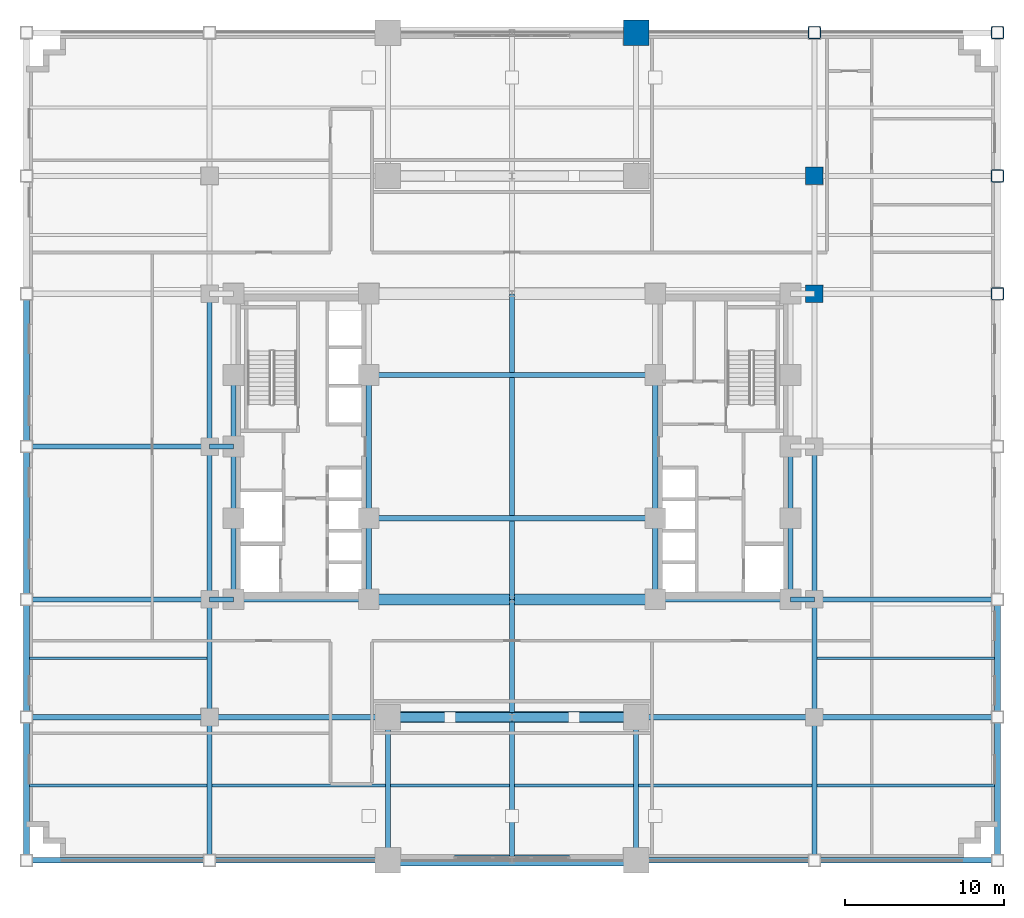
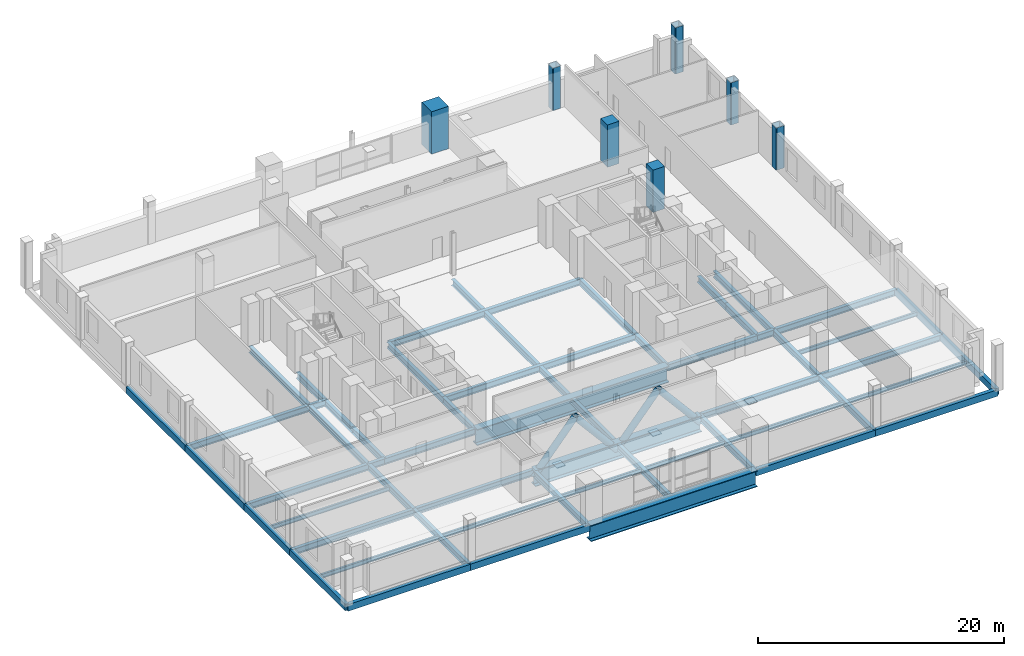
# One storey, part 4 of 17: 56 beams, 7 columns, 4 members.
"""IFC4 building model written with IfcOpenShell, lengths in metres."""

from ifc_helpers import new_model, si_unit, direction, frame, origin, origin_2d, place, context, subcontext, project, spatial, rectangle, hollow_rectangle, hollow_circle, i_section, extrude, material, material_profile, profile_set, type_object, element, save


model = new_model("IFC4")

# Units and contexts
model_context = context("Model", 3, precision=1e-05, world=origin(), true_north=direction((0.0, 1.0)))
body_context = subcontext(model_context, "Body", "Model", "MODEL_VIEW")
ifc_project = project(units=[si_unit("LENGTHUNIT", "METRE"), si_unit("AREAUNIT", "SQUARE_METRE"), si_unit("VOLUMEUNIT", "CUBIC_METRE"), si_unit("PLANEANGLEUNIT", "RADIAN"), si_unit("MASSUNIT", "GRAM", prefix="KILO")], contexts=[model_context])

# Site, building, storey
site_placement = place(None, origin())
site = spatial("IfcSite", under=ifc_project, at=site_placement, CompositionType="ELEMENT")
building_placement = place(site_placement, origin())
building = spatial("IfcBuilding", under=site, at=building_placement, Name="Nuvemarco Arch Tower", CompositionType="ELEMENT")
storey_placement = place(building_placement, frame((0.0, 0.0, 23.0)))
storey = spatial("IfcBuildingStorey", under=building, at=storey_placement, Name="L05", CompositionType="ELEMENT", Elevation=23.0)

# Columns
ifc_material_1 = material(Name="Concrete C60/75", Category="concrete")
ifc_material_profile_1 = material_profile(ifc_material_1, rectangle(XDim=1.10009765625, YDim=1.10009765625, at=origin_2d()), Name="RC-COL-1100x1100")
ifc_profile_set_1 = profile_set([ifc_material_profile_1], Name="Concrete C60/75")
column_type_1 = type_object("IfcColumnType", Name="COL-CORE-1100", PredefinedType="COLUMN", material=ifc_profile_set_1)
for number, where, z_axis, x_axis, name in (
    (1, (19.0, 9.60009765625, 0.0), (0.0, 0.0, 1.0), (1.0, 0.0, 0.0), "L05 column CP_+19.0_+9.6"),
    (2, (19.0, 17.0, 0.0), (0.0, 0.0, 1.0), (1.0, 0.0, 0.0), "L05 column CP_+19.0_+17.0"),
):
    element("IfcColumn", number, at=place(storey_placement, frame(where, z_axis=z_axis, x_axis=x_axis)), inside=storey, type_object=column_type_1, Name=name, PredefinedType="COLUMN", context=body_context, shape_type="SweptSolid", body=[
        extrude(rectangle(XDim=1.10009765625, YDim=1.10009765625, at=origin_2d()), origin(), (0.0, 0.0, 1.0), 4.199951171875),
    ])
ifc_material_2 = material(Name="Steel S460", Category="steel")
ifc_material_profile_2 = material_profile(ifc_material_2, hollow_rectangle(XDim=0.800048828125, YDim=0.800048828125, WallThickness=0.054931640625, InnerFilletRadius=0.054931640625, OuterFilletRadius=0.110107421875, at=origin_2d()), Name="SHS800x800x55")
ifc_profile_set_2 = profile_set([ifc_material_profile_2], Name="Steel S460")
column_type_2 = type_object("IfcColumnType", Name="COL-EXO-800", PredefinedType="COLUMN", material=ifc_profile_set_2)
for number, where, z_axis, x_axis, name in (
    (3, (19.0, 26.0, 0.0), (0.0, 0.0, 1.0), (1.0, 0.0, 0.0), "L05 column CP_+19.0_+26.0"),
    (4, (30.5, 9.60009765625, 0.0), (0.0, 0.0, 1.0), (1.0, 0.0, 0.0), "L05 column CP_+30.5_+9.6"),
    (5, (30.5, 17.0, 0.0), (0.0, 0.0, 1.0), (1.0, 0.0, 0.0), "L05 column CP_+30.5_+17.0"),
):
    element("IfcColumn", number, at=place(storey_placement, frame(where, z_axis=z_axis, x_axis=x_axis)), inside=storey, type_object=column_type_2, Name=name, PredefinedType="COLUMN", context=body_context, shape_type="SweptSolid", body=[
        extrude(hollow_rectangle(XDim=0.800048828125, YDim=0.800048828125, WallThickness=0.054931640625, InnerFilletRadius=0.054931640625, OuterFilletRadius=0.110107421875, at=origin_2d()), origin(), (0.0, 0.0, 1.0), 4.199951171875),
    ])
column_1_placement = place(storey_placement, frame((30.5, 26.0, -0.39990234375), z_axis=(0.0, 0.0, 1.0), x_axis=(1.0, 0.0, 0.0)))
element("IfcColumn", 6, at=column_1_placement, inside=storey, type_object=column_type_2, Name="L05 column CP_+30.5_+26.0", PredefinedType="COLUMN", context=body_context, shape_type="SweptSolid", body=[
    extrude(hollow_rectangle(XDim=0.800048828125, YDim=0.800048828125, WallThickness=0.054931640625, InnerFilletRadius=0.054931640625, OuterFilletRadius=0.110107421875, at=origin_2d()), origin(), (0.0, 0.0, 1.0), 4.599853515625),
])
ifc_material_profile_3 = material_profile(ifc_material_1, rectangle(XDim=1.60009765625, YDim=1.60009765625, at=origin_2d()), Name="RC-COL-1600x1600")
ifc_profile_set_3 = profile_set([ifc_material_profile_3], Name="Concrete C60/75")
column_type_3 = type_object("IfcColumnType", Name="COL-MEGA-1600", PredefinedType="COLUMN", material=ifc_profile_set_3)
column_2_placement = place(storey_placement, frame((7.800048828125, 26.0, 0.0), z_axis=(0.0, 0.0, 1.0), x_axis=(1.0, 0.0, 0.0)))
element("IfcColumn", 7, at=column_2_placement, inside=storey, type_object=column_type_3, Name="L05 column CM_+7.8_+26.0", PredefinedType="COLUMN", context=body_context, shape_type="SweptSolid", body=[
    extrude(rectangle(XDim=1.60009765625, YDim=1.60009765625, at=origin_2d()), origin(), (0.0, 0.0, 1.0), 4.199951171875),
])

# Beams
ifc_material_profile_4 = material_profile(ifc_material_2, i_section(OverallWidth=0.699951171875, OverallDepth=1.60009765625, WebThickness=0.035888671875, FlangeThickness=0.06494140625, FilletRadius=0.02392578125, at=origin_2d()), Name="PG1600x700")
ifc_profile_set_4 = profile_set([ifc_material_profile_4], Name="Steel S460")
beam_type_1 = type_object("IfcBeamType", Name="BM-ARCH-TRUSS", PredefinedType="BEAM", material=ifc_profile_set_4)
beam_1_placement = place(storey_placement, frame((-7.800048828125, -17.0, -1.199951171875), z_axis=(1.0, 0.0, 0.0), x_axis=(0.0, 1.0, 0.0)))
element("IfcBeam", 8, at=beam_1_placement, inside=storey, type_object=beam_type_1, Name="L05 Giant Arch transfer girder chord -17.0", PredefinedType="BEAM", context=body_context, shape_type="SweptSolid", body=[
    extrude(i_section(OverallWidth=0.699951171875, OverallDepth=1.60009765625, WebThickness=0.035888671875, FlangeThickness=0.06494140625, FilletRadius=0.02392578125, at=origin_2d()), origin(), (0.0, 0.0, 1.0), 15.60009765625),
])
beam_2_placement = place(storey_placement, frame((-9.0, -9.60009765625, -1.199951171875), z_axis=(1.0, 0.0, 0.0), x_axis=(0.0, 1.0, 0.0)))
element("IfcBeam", 9, at=beam_2_placement, inside=storey, type_object=beam_type_1, Name="L05 Giant Arch transfer girder chord -9.6", PredefinedType="BEAM", context=body_context, shape_type="SweptSolid", body=[
    extrude(i_section(OverallWidth=0.699951171875, OverallDepth=1.60009765625, WebThickness=0.035888671875, FlangeThickness=0.06494140625, FilletRadius=0.02392578125, at=origin_2d()), origin(), (0.0, 0.0, 1.0), 18.0),
])
ifc_material_profile_5 = material_profile(ifc_material_2, i_section(OverallWidth=0.699951171875, OverallDepth=1.60009765625, WebThickness=0.035888671875, FlangeThickness=0.06494140625, FilletRadius=0.02392578125, at=origin_2d()), Name="PG1600x700")
ifc_profile_set_5 = profile_set([ifc_material_profile_5], Name="Steel S460")
beam_type_2 = type_object("IfcBeamType", Name="BM-ARCH-TRUSS-EXT", PredefinedType="BEAM", material=ifc_profile_set_5)
beam_3_placement = place(storey_placement, frame((-7.800048828125, -26.0, -1.199951171875), z_axis=(1.0, 0.0, 0.0), x_axis=(0.0, 1.0, 0.0)))
element("IfcBeam", 10, at=beam_3_placement, inside=storey, type_object=beam_type_2, Name="L05 Giant Arch transfer girder chord -26.0", PredefinedType="BEAM", context=body_context, shape_type="SweptSolid", body=[
    extrude(i_section(OverallWidth=0.699951171875, OverallDepth=1.60009765625, WebThickness=0.035888671875, FlangeThickness=0.06494140625, FilletRadius=0.02392578125, at=origin_2d()), origin(), (0.0, 0.0, 1.0), 15.60009765625),
])
ifc_material_3 = material(Name="Steel S355", Category="steel")
ifc_material_profile_6 = material_profile(ifc_material_3, i_section(OverallWidth=0.324951171875, OverallDepth=0.615966796875, WebThickness=0.013916015625, FlangeThickness=0.021484375, FilletRadius=0.01611328125, at=origin_2d()), Name="W610x174")
ifc_profile_set_6 = profile_set([ifc_material_profile_6], Name="Steel S355")
beam_type_3 = type_object("IfcBeamType", Name="BM-GIRD-610H", PredefinedType="BEAM", material=ifc_profile_set_6)
beam_4_placement = place(storey_placement, frame((-19.0, -26.0, -0.7080078125), z_axis=(0.0, 1.0, 0.0), x_axis=(-1.0, 0.0, 0.0)))
element("IfcBeam", 11, at=beam_4_placement, inside=storey, type_object=beam_type_3, Name="L05 structural beam BGNS_L05_0_-19.0_-26.0", PredefinedType="BEAM", context=body_context, shape_type="SweptSolid", body=[
    extrude(i_section(OverallWidth=0.324951171875, OverallDepth=0.615966796875, WebThickness=0.013916015625, FlangeThickness=0.021484375, FilletRadius=0.01611328125, at=origin_2d()), origin(), (0.0, 0.0, 1.0), 9.0),
])
beam_5_placement = place(storey_placement, frame((-19.0, -17.0, -0.7080078125), z_axis=(0.0, 1.0, 0.0), x_axis=(-1.0, 0.0, 0.0)))
element("IfcBeam", 12, at=beam_5_placement, inside=storey, type_object=beam_type_3, Name="L05 structural beam BGNS_L05_0_-19.0_-17.0", PredefinedType="BEAM", context=body_context, shape_type="SweptSolid", body=[
    extrude(i_section(OverallWidth=0.324951171875, OverallDepth=0.615966796875, WebThickness=0.013916015625, FlangeThickness=0.021484375, FilletRadius=0.01611328125, at=origin_2d()), origin(), (0.0, 0.0, 1.0), 7.39990234375),
])
for number, where, z_axis, x_axis, name in (
    (13, (-19.0, -9.60009765625, -0.7080078125), (0.0, 1.0, 0.0), (-1.0, 0.0, 0.0), "L05 structural beam BGNS_L05_0_-19.0_-9.6"),
    (14, (-19.0, 0.0, -0.7080078125), (0.0, 1.0, 0.0), (-1.0, 0.0, 0.0), "L05 structural beam BGNS_L05_0_-19.0_+0.0"),
):
    element("IfcBeam", number, at=place(storey_placement, frame(where, z_axis=z_axis, x_axis=x_axis)), inside=storey, type_object=beam_type_3, Name=name, PredefinedType="BEAM", context=body_context, shape_type="SweptSolid", body=[
        extrude(i_section(OverallWidth=0.324951171875, OverallDepth=0.615966796875, WebThickness=0.013916015625, FlangeThickness=0.021484375, FilletRadius=0.01611328125, at=origin_2d()), origin(), (0.0, 0.0, 1.0), 9.60009765625),
    ])
beam_6_placement = place(storey_placement, frame((-17.5, -9.60009765625, -0.7080078125), z_axis=(0.0, 1.0, 0.0), x_axis=(-1.0, 0.0, 0.0)))
element("IfcBeam", 15, at=beam_6_placement, inside=storey, type_object=beam_type_3, Name="L05 structural beam BGNS_L05_0_-17.5_-9.6", PredefinedType="BEAM", context=body_context, shape_type="SweptSolid", body=[
    extrude(i_section(OverallWidth=0.324951171875, OverallDepth=0.615966796875, WebThickness=0.013916015625, FlangeThickness=0.021484375, FilletRadius=0.01611328125, at=origin_2d()), origin(), (0.0, 0.0, 1.0), 5.10009765625),
])
for number, where, z_axis, x_axis, name in (
    (16, (-17.5, -4.5, -0.7080078125), (0.0, 1.0, 0.0), (-1.0, 0.0, 0.0), "L05 structural beam BGNS_L05_0_-17.5_-4.5"),
    (17, (-17.5, 0.0, -0.7080078125), (0.0, 1.0, 0.0), (-1.0, 0.0, 0.0), "L05 structural beam BGNS_L05_0_-17.5_+0.0"),
):
    element("IfcBeam", number, at=place(storey_placement, frame(where, z_axis=z_axis, x_axis=x_axis)), inside=storey, type_object=beam_type_3, Name=name, PredefinedType="BEAM", context=body_context, shape_type="SweptSolid", body=[
        extrude(i_section(OverallWidth=0.324951171875, OverallDepth=0.615966796875, WebThickness=0.013916015625, FlangeThickness=0.021484375, FilletRadius=0.01611328125, at=origin_2d()), origin(), (0.0, 0.0, 1.0), 4.5),
    ])
beam_7_placement = place(storey_placement, frame((-9.0, -9.60009765625, -0.7080078125), z_axis=(0.0, 1.0, 0.0), x_axis=(-1.0, 0.0, 0.0)))
element("IfcBeam", 18, at=beam_7_placement, inside=storey, type_object=beam_type_3, Name="L05 structural beam BGNS_L05_0_-9.0_-9.6", PredefinedType="BEAM", context=body_context, shape_type="SweptSolid", body=[
    extrude(i_section(OverallWidth=0.324951171875, OverallDepth=0.615966796875, WebThickness=0.013916015625, FlangeThickness=0.021484375, FilletRadius=0.01611328125, at=origin_2d()), origin(), (0.0, 0.0, 1.0), 5.10009765625),
])
for number, where, z_axis, x_axis, name in (
    (19, (-9.0, -4.5, -0.7080078125), (0.0, 1.0, 0.0), (-1.0, 0.0, 0.0), "L05 structural beam BGNS_L05_0_-9.0_-4.5"),
    (20, (-7.800048828125, -26.0, -0.7080078125), (0.0, 1.0, 0.0), (-1.0, 0.0, 0.0), "L05 structural beam BGNS_L05_0_-7.8_-26.0"),
    (21, (0.0, -26.0, -0.7080078125), (0.0, 1.0, 0.0), (-1.0, 0.0, 0.0), "L05 structural beam BGNS_L05_0_+0.0_-26.0"),
):
    element("IfcBeam", number, at=place(storey_placement, frame(where, z_axis=z_axis, x_axis=x_axis)), inside=storey, type_object=beam_type_3, Name=name, PredefinedType="BEAM", context=body_context, shape_type="SweptSolid", body=[
        extrude(i_section(OverallWidth=0.324951171875, OverallDepth=0.615966796875, WebThickness=0.013916015625, FlangeThickness=0.021484375, FilletRadius=0.01611328125, at=origin_2d()), origin(), (0.0, 0.0, 1.0), 9.0),
    ])
beam_8_placement = place(storey_placement, frame((0.0, -17.0, -0.7080078125), z_axis=(0.0, 1.0, 0.0), x_axis=(-1.0, 0.0, 0.0)))
element("IfcBeam", 22, at=beam_8_placement, inside=storey, type_object=beam_type_3, Name="L05 structural beam BGNS_L05_0_+0.0_-17.0", PredefinedType="BEAM", context=body_context, shape_type="SweptSolid", body=[
    extrude(i_section(OverallWidth=0.324951171875, OverallDepth=0.615966796875, WebThickness=0.013916015625, FlangeThickness=0.021484375, FilletRadius=0.01611328125, at=origin_2d()), origin(), (0.0, 0.0, 1.0), 7.39990234375),
])
beam_9_placement = place(storey_placement, frame((0.0, -9.60009765625, -0.7080078125), z_axis=(0.0, 1.0, 0.0), x_axis=(-1.0, 0.0, 0.0)))
element("IfcBeam", 23, at=beam_9_placement, inside=storey, type_object=beam_type_3, Name="L05 structural beam BGNS_L05_0_+0.0_-9.6", PredefinedType="BEAM", context=body_context, shape_type="SweptSolid", body=[
    extrude(i_section(OverallWidth=0.324951171875, OverallDepth=0.615966796875, WebThickness=0.013916015625, FlangeThickness=0.021484375, FilletRadius=0.01611328125, at=origin_2d()), origin(), (0.0, 0.0, 1.0), 19.2001953125),
])
beam_10_placement = place(storey_placement, frame((7.800048828125, -26.0, -0.7080078125), z_axis=(0.0, 1.0, 0.0), x_axis=(-1.0, 0.0, 0.0)))
element("IfcBeam", 24, at=beam_10_placement, inside=storey, type_object=beam_type_3, Name="L05 structural beam BGNS_L05_0_+7.8_-26.0", PredefinedType="BEAM", context=body_context, shape_type="SweptSolid", body=[
    extrude(i_section(OverallWidth=0.324951171875, OverallDepth=0.615966796875, WebThickness=0.013916015625, FlangeThickness=0.021484375, FilletRadius=0.01611328125, at=origin_2d()), origin(), (0.0, 0.0, 1.0), 9.0),
])
beam_11_placement = place(storey_placement, frame((9.0, -9.60009765625, -0.7080078125), z_axis=(0.0, 1.0, 0.0), x_axis=(-1.0, 0.0, 0.0)))
element("IfcBeam", 25, at=beam_11_placement, inside=storey, type_object=beam_type_3, Name="L05 structural beam BGNS_L05_0_+9.0_-9.6", PredefinedType="BEAM", context=body_context, shape_type="SweptSolid", body=[
    extrude(i_section(OverallWidth=0.324951171875, OverallDepth=0.615966796875, WebThickness=0.013916015625, FlangeThickness=0.021484375, FilletRadius=0.01611328125, at=origin_2d()), origin(), (0.0, 0.0, 1.0), 5.10009765625),
])
beam_12_placement = place(storey_placement, frame((9.0, -4.5, -0.7080078125), z_axis=(0.0, 1.0, 0.0), x_axis=(-1.0, 0.0, 0.0)))
element("IfcBeam", 26, at=beam_12_placement, inside=storey, type_object=beam_type_3, Name="L05 structural beam BGNS_L05_0_+9.0_-4.5", PredefinedType="BEAM", context=body_context, shape_type="SweptSolid", body=[
    extrude(i_section(OverallWidth=0.324951171875, OverallDepth=0.615966796875, WebThickness=0.013916015625, FlangeThickness=0.021484375, FilletRadius=0.01611328125, at=origin_2d()), origin(), (0.0, 0.0, 1.0), 9.0),
])
beam_13_placement = place(storey_placement, frame((17.5, -9.60009765625, -0.7080078125), z_axis=(0.0, 1.0, 0.0), x_axis=(-1.0, 0.0, 0.0)))
element("IfcBeam", 27, at=beam_13_placement, inside=storey, type_object=beam_type_3, Name="L05 structural beam BGNS_L05_0_+17.5_-9.6", PredefinedType="BEAM", context=body_context, shape_type="SweptSolid", body=[
    extrude(i_section(OverallWidth=0.324951171875, OverallDepth=0.615966796875, WebThickness=0.013916015625, FlangeThickness=0.021484375, FilletRadius=0.01611328125, at=origin_2d()), origin(), (0.0, 0.0, 1.0), 5.10009765625),
])
beam_14_placement = place(storey_placement, frame((17.5, -4.5, -0.7080078125), z_axis=(0.0, 1.0, 0.0), x_axis=(-1.0, 0.0, 0.0)))
element("IfcBeam", 28, at=beam_14_placement, inside=storey, type_object=beam_type_3, Name="L05 structural beam BGNS_L05_0_+17.5_-4.5", PredefinedType="BEAM", context=body_context, shape_type="SweptSolid", body=[
    extrude(i_section(OverallWidth=0.324951171875, OverallDepth=0.615966796875, WebThickness=0.013916015625, FlangeThickness=0.021484375, FilletRadius=0.01611328125, at=origin_2d()), origin(), (0.0, 0.0, 1.0), 4.5),
])
beam_15_placement = place(storey_placement, frame((19.0, -26.0, -0.7080078125), z_axis=(0.0, 1.0, 0.0), x_axis=(-1.0, 0.0, 0.0)))
element("IfcBeam", 29, at=beam_15_placement, inside=storey, type_object=beam_type_3, Name="L05 structural beam BGNS_L05_0_+19.0_-26.0", PredefinedType="BEAM", context=body_context, shape_type="SweptSolid", body=[
    extrude(i_section(OverallWidth=0.324951171875, OverallDepth=0.615966796875, WebThickness=0.013916015625, FlangeThickness=0.021484375, FilletRadius=0.01611328125, at=origin_2d()), origin(), (0.0, 0.0, 1.0), 9.0),
])
beam_16_placement = place(storey_placement, frame((19.0, -17.0, -0.7080078125), z_axis=(0.0, 1.0, 0.0), x_axis=(-1.0, 0.0, 0.0)))
element("IfcBeam", 30, at=beam_16_placement, inside=storey, type_object=beam_type_3, Name="L05 structural beam BGNS_L05_0_+19.0_-17.0", PredefinedType="BEAM", context=body_context, shape_type="SweptSolid", body=[
    extrude(i_section(OverallWidth=0.324951171875, OverallDepth=0.615966796875, WebThickness=0.013916015625, FlangeThickness=0.021484375, FilletRadius=0.01611328125, at=origin_2d()), origin(), (0.0, 0.0, 1.0), 7.39990234375),
])
beam_17_placement = place(storey_placement, frame((19.0, -9.60009765625, -0.7080078125), z_axis=(0.0, 1.0, 0.0), x_axis=(-1.0, 0.0, 0.0)))
element("IfcBeam", 31, at=beam_17_placement, inside=storey, type_object=beam_type_3, Name="L05 structural beam BGNS_L05_0_+19.0_-9.6", PredefinedType="BEAM", context=body_context, shape_type="SweptSolid", body=[
    extrude(i_section(OverallWidth=0.324951171875, OverallDepth=0.615966796875, WebThickness=0.013916015625, FlangeThickness=0.021484375, FilletRadius=0.01611328125, at=origin_2d()), origin(), (0.0, 0.0, 1.0), 9.60009765625),
])
beam_18_placement = place(storey_placement, frame((-30.5, -17.0, -0.7080078125), z_axis=(1.0, 0.0, 0.0), x_axis=(0.0, 1.0, 0.0)))
element("IfcBeam", 32, at=beam_18_placement, inside=storey, type_object=beam_type_3, Name="L05 structural beam BGEW_L05_0_-17.0_-30.5", PredefinedType="BEAM", context=body_context, shape_type="SweptSolid", body=[
    extrude(i_section(OverallWidth=0.324951171875, OverallDepth=0.615966796875, WebThickness=0.013916015625, FlangeThickness=0.021484375, FilletRadius=0.01611328125, at=origin_2d()), origin(), (0.0, 0.0, 1.0), 11.5),
])
for number, where, z_axis, x_axis, name in (
    (33, (-19.0, -17.0, -0.7080078125), (1.0, 0.0, 0.0), (0.0, 1.0, 0.0), "L05 structural beam BGEW_L05_0_-17.0_-19.0"),
    (34, (7.800048828125, -17.0, -0.7080078125), (1.0, 0.0, 0.0), (0.0, 1.0, 0.0), "L05 structural beam BGEW_L05_0_-17.0_+7.8"),
):
    element("IfcBeam", number, at=place(storey_placement, frame(where, z_axis=z_axis, x_axis=x_axis)), inside=storey, type_object=beam_type_3, Name=name, PredefinedType="BEAM", context=body_context, shape_type="SweptSolid", body=[
        extrude(i_section(OverallWidth=0.324951171875, OverallDepth=0.615966796875, WebThickness=0.013916015625, FlangeThickness=0.021484375, FilletRadius=0.01611328125, at=origin_2d()), origin(), (0.0, 0.0, 1.0), 11.199951171875),
    ])
for number, where, z_axis, x_axis, name in (
    (35, (19.0, -17.0, -0.7080078125), (1.0, 0.0, 0.0), (0.0, 1.0, 0.0), "L05 structural beam BGEW_L05_0_-17.0_+19.0"),
    (36, (-30.5, -9.60009765625, -0.7080078125), (1.0, 0.0, 0.0), (0.0, 1.0, 0.0), "L05 structural beam BGEW_L05_0_-9.6_-30.5"),
):
    element("IfcBeam", number, at=place(storey_placement, frame(where, z_axis=z_axis, x_axis=x_axis)), inside=storey, type_object=beam_type_3, Name=name, PredefinedType="BEAM", context=body_context, shape_type="SweptSolid", body=[
        extrude(i_section(OverallWidth=0.324951171875, OverallDepth=0.615966796875, WebThickness=0.013916015625, FlangeThickness=0.021484375, FilletRadius=0.01611328125, at=origin_2d()), origin(), (0.0, 0.0, 1.0), 11.5),
    ])
beam_19_placement = place(storey_placement, frame((-19.0, -9.60009765625, -0.7080078125), z_axis=(1.0, 0.0, 0.0), x_axis=(0.0, 1.0, 0.0)))
element("IfcBeam", 37, at=beam_19_placement, inside=storey, type_object=beam_type_3, Name="L05 structural beam BGEW_L05_0_-9.6_-19.0", PredefinedType="BEAM", context=body_context, shape_type="SweptSolid", body=[
    extrude(i_section(OverallWidth=0.324951171875, OverallDepth=0.615966796875, WebThickness=0.013916015625, FlangeThickness=0.021484375, FilletRadius=0.01611328125, at=origin_2d()), origin(), (0.0, 0.0, 1.0), 1.5),
])
for number, where, z_axis, x_axis, name in (
    (38, (-17.5, -9.60009765625, -0.7080078125), (1.0, 0.0, 0.0), (0.0, 1.0, 0.0), "L05 structural beam BGEW_L05_0_-9.6_-17.5"),
    (39, (9.0, -9.60009765625, -0.7080078125), (1.0, 0.0, 0.0), (0.0, 1.0, 0.0), "L05 structural beam BGEW_L05_0_-9.6_+9.0"),
):
    element("IfcBeam", number, at=place(storey_placement, frame(where, z_axis=z_axis, x_axis=x_axis)), inside=storey, type_object=beam_type_3, Name=name, PredefinedType="BEAM", context=body_context, shape_type="SweptSolid", body=[
        extrude(i_section(OverallWidth=0.324951171875, OverallDepth=0.615966796875, WebThickness=0.013916015625, FlangeThickness=0.021484375, FilletRadius=0.01611328125, at=origin_2d()), origin(), (0.0, 0.0, 1.0), 8.5),
    ])
beam_20_placement = place(storey_placement, frame((17.5, -9.60009765625, -0.7080078125), z_axis=(1.0, 0.0, 0.0), x_axis=(0.0, 1.0, 0.0)))
element("IfcBeam", 40, at=beam_20_placement, inside=storey, type_object=beam_type_3, Name="L05 structural beam BGEW_L05_0_-9.6_+17.5", PredefinedType="BEAM", context=body_context, shape_type="SweptSolid", body=[
    extrude(i_section(OverallWidth=0.324951171875, OverallDepth=0.615966796875, WebThickness=0.013916015625, FlangeThickness=0.021484375, FilletRadius=0.01611328125, at=origin_2d()), origin(), (0.0, 0.0, 1.0), 1.5),
])
beam_21_placement = place(storey_placement, frame((19.0, -9.60009765625, -0.7080078125), z_axis=(1.0, 0.0, 0.0), x_axis=(0.0, 1.0, 0.0)))
element("IfcBeam", 41, at=beam_21_placement, inside=storey, type_object=beam_type_3, Name="L05 structural beam BGEW_L05_0_-9.6_+19.0", PredefinedType="BEAM", context=body_context, shape_type="SweptSolid", body=[
    extrude(i_section(OverallWidth=0.324951171875, OverallDepth=0.615966796875, WebThickness=0.013916015625, FlangeThickness=0.021484375, FilletRadius=0.01611328125, at=origin_2d()), origin(), (0.0, 0.0, 1.0), 11.5),
])
beam_22_placement = place(storey_placement, frame((-9.0, -4.5, -0.7080078125), z_axis=(1.0, 0.0, 0.0), x_axis=(0.0, 1.0, 0.0)))
element("IfcBeam", 42, at=beam_22_placement, inside=storey, type_object=beam_type_3, Name="L05 structural beam BGEW_L05_0_-4.5_-9.0", PredefinedType="BEAM", context=body_context, shape_type="SweptSolid", body=[
    extrude(i_section(OverallWidth=0.324951171875, OverallDepth=0.615966796875, WebThickness=0.013916015625, FlangeThickness=0.021484375, FilletRadius=0.01611328125, at=origin_2d()), origin(), (0.0, 0.0, 1.0), 18.0),
])
beam_23_placement = place(storey_placement, frame((-30.5, 0.0, -0.7080078125), z_axis=(1.0, 0.0, 0.0), x_axis=(0.0, 1.0, 0.0)))
element("IfcBeam", 43, at=beam_23_placement, inside=storey, type_object=beam_type_3, Name="L05 structural beam BGEW_L05_0_+0.0_-30.5", PredefinedType="BEAM", context=body_context, shape_type="SweptSolid", body=[
    extrude(i_section(OverallWidth=0.324951171875, OverallDepth=0.615966796875, WebThickness=0.013916015625, FlangeThickness=0.021484375, FilletRadius=0.01611328125, at=origin_2d()), origin(), (0.0, 0.0, 1.0), 11.5),
])
beam_24_placement = place(storey_placement, frame((-19.0, 0.0, -0.7080078125), z_axis=(1.0, 0.0, 0.0), x_axis=(0.0, 1.0, 0.0)))
element("IfcBeam", 44, at=beam_24_placement, inside=storey, type_object=beam_type_3, Name="L05 structural beam BGEW_L05_0_+0.0_-19.0", PredefinedType="BEAM", context=body_context, shape_type="SweptSolid", body=[
    extrude(i_section(OverallWidth=0.324951171875, OverallDepth=0.615966796875, WebThickness=0.013916015625, FlangeThickness=0.021484375, FilletRadius=0.01611328125, at=origin_2d()), origin(), (0.0, 0.0, 1.0), 1.5),
])
beam_25_placement = place(storey_placement, frame((-9.0, 4.5, -0.7080078125), z_axis=(1.0, 0.0, 0.0), x_axis=(0.0, 1.0, 0.0)))
element("IfcBeam", 45, at=beam_25_placement, inside=storey, type_object=beam_type_3, Name="L05 structural beam BGEW_L05_0_+4.5_-9.0", PredefinedType="BEAM", context=body_context, shape_type="SweptSolid", body=[
    extrude(i_section(OverallWidth=0.324951171875, OverallDepth=0.615966796875, WebThickness=0.013916015625, FlangeThickness=0.021484375, FilletRadius=0.01611328125, at=origin_2d()), origin(), (0.0, 0.0, 1.0), 18.0),
])
ifc_material_profile_7 = material_profile(ifc_material_3, i_section(OverallWidth=0.179931640625, OverallDepth=0.4130859375, WebThickness=0.009765625, FlangeThickness=0.01611328125, FilletRadius=0.014892578125, at=origin_2d()), Name="W410x75")
ifc_profile_set_7 = profile_set([ifc_material_profile_7], Name="Steel S355")
beam_type_4 = type_object("IfcBeamType", Name="BM-JOIST-410", PredefinedType="JOIST", material=ifc_profile_set_7)
beam_26_placement = place(storey_placement, frame((-30.324951171875, -21.300048828125, -0.6064453125), z_axis=(1.0, 0.0, 0.0), x_axis=(0.0, 1.0, 0.0)))
element("IfcBeam", 46, at=beam_26_placement, inside=storey, type_object=beam_type_4, Name="L05 structural beam BJ_L05_0_-21.3_-30.5", PredefinedType="JOIST", context=body_context, shape_type="SweptSolid", body=[
    extrude(i_section(OverallWidth=0.179931640625, OverallDepth=0.4130859375, WebThickness=0.009765625, FlangeThickness=0.01611328125, FilletRadius=0.014892578125, at=origin_2d()), origin(), (0.0, 0.0, 1.0), 11.162353515625),
])
beam_27_placement = place(storey_placement, frame((-18.83740234375, -21.300048828125, -0.6064453125), z_axis=(1.0, 0.0, 0.0), x_axis=(0.0, 1.0, 0.0)))
element("IfcBeam", 47, at=beam_27_placement, inside=storey, type_object=beam_type_4, Name="L05 structural beam BJ_L05_0_-21.3_-19.0", PredefinedType="JOIST", context=body_context, shape_type="SweptSolid", body=[
    extrude(i_section(OverallWidth=0.179931640625, OverallDepth=0.4130859375, WebThickness=0.009765625, FlangeThickness=0.01611328125, FilletRadius=0.014892578125, at=origin_2d()), origin(), (0.0, 0.0, 1.0), 10.875),
])
for number, where, z_axis, x_axis, name in (
    (48, (-7.637451171875, -21.300048828125, -0.6064453125), (1.0, 0.0, 0.0), (0.0, 1.0, 0.0), "L05 structural beam BJ_L05_0_-21.3_-7.8"),
    (49, (0.16259765625, -21.300048828125, -0.6064453125), (1.0, 0.0, 0.0), (0.0, 1.0, 0.0), "L05 structural beam BJ_L05_0_-21.3_+0.0"),
):
    element("IfcBeam", number, at=place(storey_placement, frame(where, z_axis=z_axis, x_axis=x_axis)), inside=storey, type_object=beam_type_4, Name=name, PredefinedType="JOIST", context=body_context, shape_type="SweptSolid", body=[
        extrude(i_section(OverallWidth=0.179931640625, OverallDepth=0.4130859375, WebThickness=0.009765625, FlangeThickness=0.01611328125, FilletRadius=0.014892578125, at=origin_2d()), origin(), (0.0, 0.0, 1.0), 7.474853515625),
    ])
beam_28_placement = place(storey_placement, frame((7.96240234375, -21.300048828125, -0.6064453125), z_axis=(1.0, 0.0, 0.0), x_axis=(0.0, 1.0, 0.0)))
element("IfcBeam", 50, at=beam_28_placement, inside=storey, type_object=beam_type_4, Name="L05 structural beam BJ_L05_0_-21.3_+7.8", PredefinedType="JOIST", context=body_context, shape_type="SweptSolid", body=[
    extrude(i_section(OverallWidth=0.179931640625, OverallDepth=0.4130859375, WebThickness=0.009765625, FlangeThickness=0.01611328125, FilletRadius=0.014892578125, at=origin_2d()), origin(), (0.0, 0.0, 1.0), 10.875),
])
for number, where, z_axis, x_axis, name in (
    (51, (19.16259765625, -21.300048828125, -0.6064453125), (1.0, 0.0, 0.0), (0.0, 1.0, 0.0), "L05 structural beam BJ_L05_0_-21.3_+19.0"),
    (52, (-30.324951171875, -13.300048828125, -0.6064453125), (1.0, 0.0, 0.0), (0.0, 1.0, 0.0), "L05 structural beam BJ_L05_0_-13.3_-30.5"),
    (53, (19.16259765625, -13.300048828125, -0.6064453125), (1.0, 0.0, 0.0), (0.0, 1.0, 0.0), "L05 structural beam BJ_L05_0_-13.3_+19.0"),
):
    element("IfcBeam", number, at=place(storey_placement, frame(where, z_axis=z_axis, x_axis=x_axis)), inside=storey, type_object=beam_type_4, Name=name, PredefinedType="JOIST", context=body_context, shape_type="SweptSolid", body=[
        extrude(i_section(OverallWidth=0.179931640625, OverallDepth=0.4130859375, WebThickness=0.009765625, FlangeThickness=0.01611328125, FilletRadius=0.014892578125, at=origin_2d()), origin(), (0.0, 0.0, 1.0), 11.162353515625),
    ])
ifc_material_4 = material(Name="Precast concrete C45/55", Category="concrete")
ifc_material_profile_8 = material_profile(ifc_material_4, rectangle(XDim=0.35009765625, YDim=0.64990234375, at=origin_2d()), Name="PC-SP-350x650")
ifc_profile_set_8 = profile_set([ifc_material_profile_8], Name="Precast concrete C45/55")
beam_type_5 = type_object("IfcBeamType", Name="BM-SPAN-RC", PredefinedType="SPANDREL", material=ifc_profile_set_8)
beam_29_placement = place(storey_placement, frame((-30.5, -26.0, -0.72509765625), z_axis=(0.0, 1.0, 0.0), x_axis=(-1.0, 0.0, 0.0)))
element("IfcBeam", 54, at=beam_29_placement, inside=storey, type_object=beam_type_5, Name="L05 structural beam BGNS_L05_0_-30.5_-26.0", PredefinedType="SPANDREL", context=body_context, shape_type="SweptSolid", body=[
    extrude(rectangle(XDim=0.35009765625, YDim=0.64990234375, at=origin_2d()), origin(), (0.0, 0.0, 1.0), 9.0),
])
beam_30_placement = place(storey_placement, frame((-30.5, -17.0, -0.72509765625), z_axis=(0.0, 1.0, 0.0), x_axis=(-1.0, 0.0, 0.0)))
element("IfcBeam", 55, at=beam_30_placement, inside=storey, type_object=beam_type_5, Name="L05 structural beam BGNS_L05_0_-30.5_-17.0", PredefinedType="SPANDREL", context=body_context, shape_type="SweptSolid", body=[
    extrude(rectangle(XDim=0.35009765625, YDim=0.64990234375, at=origin_2d()), origin(), (0.0, 0.0, 1.0), 7.39990234375),
])
for number, where, z_axis, x_axis, name in (
    (56, (-30.5, -9.60009765625, -0.72509765625), (0.0, 1.0, 0.0), (-1.0, 0.0, 0.0), "L05 structural beam BGNS_L05_0_-30.5_-9.6"),
    (57, (-30.5, 0.0, -0.72509765625), (0.0, 1.0, 0.0), (-1.0, 0.0, 0.0), "L05 structural beam BGNS_L05_0_-30.5_+0.0"),
):
    element("IfcBeam", number, at=place(storey_placement, frame(where, z_axis=z_axis, x_axis=x_axis)), inside=storey, type_object=beam_type_5, Name=name, PredefinedType="SPANDREL", context=body_context, shape_type="SweptSolid", body=[
        extrude(rectangle(XDim=0.35009765625, YDim=0.64990234375, at=origin_2d()), origin(), (0.0, 0.0, 1.0), 9.60009765625),
    ])
beam_31_placement = place(storey_placement, frame((30.5, -26.0, -0.72509765625), z_axis=(0.0, 1.0, 0.0), x_axis=(-1.0, 0.0, 0.0)))
element("IfcBeam", 58, at=beam_31_placement, inside=storey, type_object=beam_type_5, Name="L05 structural beam BGNS_L05_0_+30.5_-26.0", PredefinedType="SPANDREL", context=body_context, shape_type="SweptSolid", body=[
    extrude(rectangle(XDim=0.35009765625, YDim=0.64990234375, at=origin_2d()), origin(), (0.0, 0.0, 1.0), 9.0),
])
beam_32_placement = place(storey_placement, frame((30.5, -17.0, -0.72509765625), z_axis=(0.0, 1.0, 0.0), x_axis=(-1.0, 0.0, 0.0)))
element("IfcBeam", 59, at=beam_32_placement, inside=storey, type_object=beam_type_5, Name="L05 structural beam BGNS_L05_0_+30.5_-17.0", PredefinedType="SPANDREL", context=body_context, shape_type="SweptSolid", body=[
    extrude(rectangle(XDim=0.35009765625, YDim=0.64990234375, at=origin_2d()), origin(), (0.0, 0.0, 1.0), 7.39990234375),
])
beam_33_placement = place(storey_placement, frame((-30.5, -26.0, -0.72509765625), z_axis=(1.0, 0.0, 0.0), x_axis=(0.0, 1.0, 0.0)))
element("IfcBeam", 60, at=beam_33_placement, inside=storey, type_object=beam_type_5, Name="L05 structural beam BGEW_L05_0_-26.0_-30.5", PredefinedType="SPANDREL", context=body_context, shape_type="SweptSolid", body=[
    extrude(rectangle(XDim=0.35009765625, YDim=0.64990234375, at=origin_2d()), origin(), (0.0, 0.0, 1.0), 11.5),
])
for number, where, z_axis, x_axis, name in (
    (61, (-19.0, -26.0, -0.72509765625), (1.0, 0.0, 0.0), (0.0, 1.0, 0.0), "L05 structural beam BGEW_L05_0_-26.0_-19.0"),
    (62, (7.800048828125, -26.0, -0.72509765625), (1.0, 0.0, 0.0), (0.0, 1.0, 0.0), "L05 structural beam BGEW_L05_0_-26.0_+7.8"),
):
    element("IfcBeam", number, at=place(storey_placement, frame(where, z_axis=z_axis, x_axis=x_axis)), inside=storey, type_object=beam_type_5, Name=name, PredefinedType="SPANDREL", context=body_context, shape_type="SweptSolid", body=[
        extrude(rectangle(XDim=0.35009765625, YDim=0.64990234375, at=origin_2d()), origin(), (0.0, 0.0, 1.0), 11.199951171875),
    ])
beam_34_placement = place(storey_placement, frame((19.0, -26.0, -0.72509765625), z_axis=(1.0, 0.0, 0.0), x_axis=(0.0, 1.0, 0.0)))
element("IfcBeam", 63, at=beam_34_placement, inside=storey, type_object=beam_type_5, Name="L05 structural beam BGEW_L05_0_-26.0_+19.0", PredefinedType="SPANDREL", context=body_context, shape_type="SweptSolid", body=[
    extrude(rectangle(XDim=0.35009765625, YDim=0.64990234375, at=origin_2d()), origin(), (0.0, 0.0, 1.0), 11.5),
])

# Members
ifc_material_profile_9 = material_profile(ifc_material_3, hollow_circle(Radius=0.304931640625, WallThickness=0.0400390625, at=origin_2d()), Name="CHS610x40")
ifc_profile_set_9 = profile_set([ifc_material_profile_9], Name="Steel S355")
member_type = type_object("IfcMemberType", Name="MB-ARCH-DIAG", PredefinedType="BRACE", material=ifc_profile_set_9)
member_1_placement = place(storey_placement, frame((-7.800048828125, -17.0, -1.199951171875), z_axis=(0.64671136411, 0.0, 0.762734823862), x_axis=(0.0, 1.0, 0.0)))
element("IfcMember", 64, at=member_1_placement, inside=storey, type_object=member_type, Name="L05 Giant Arch transfer truss diagonal 1", PredefinedType="BRACE", context=body_context, shape_type="SweptSolid", body=[
    extrude(hollow_circle(Radius=0.304931640625, WallThickness=0.0400390625, at=origin_2d()), origin(), (0.0, 0.0, 1.0), 6.03076171875),
])
for number, where, z_axis, x_axis, name in (
    (65, (-3.89990234375, -17.0, 3.39990234375), (0.646687811782, 0.0, -0.7627547929), (0.0, 1.0, 0.0), "L05 Giant Arch transfer truss diagonal 2"),
    (66, (0.0, -17.0, -1.199951171875), (0.646687811782, 0.0, 0.7627547929), (0.0, 1.0, 0.0), "L05 Giant Arch transfer truss diagonal 3"),
):
    element("IfcMember", number, at=place(storey_placement, frame(where, z_axis=z_axis, x_axis=x_axis)), inside=storey, type_object=member_type, Name=name, PredefinedType="BRACE", context=body_context, shape_type="SweptSolid", body=[
        extrude(hollow_circle(Radius=0.304931640625, WallThickness=0.0400390625, at=origin_2d()), origin(), (0.0, 0.0, 1.0), 6.030517578125),
    ])
member_2_placement = place(storey_placement, frame((3.89990234375, -17.0, 3.39990234375), z_axis=(0.64671136411, 0.0, -0.762734823862), x_axis=(0.0, 1.0, 0.0)))
element("IfcMember", 67, at=member_2_placement, inside=storey, type_object=member_type, Name="L05 Giant Arch transfer truss diagonal 4", PredefinedType="BRACE", context=body_context, shape_type="SweptSolid", body=[
    extrude(hollow_circle(Radius=0.304931640625, WallThickness=0.0400390625, at=origin_2d()), origin(), (0.0, 0.0, 1.0), 6.03076171875),
])

save(model, "model.ifc")
